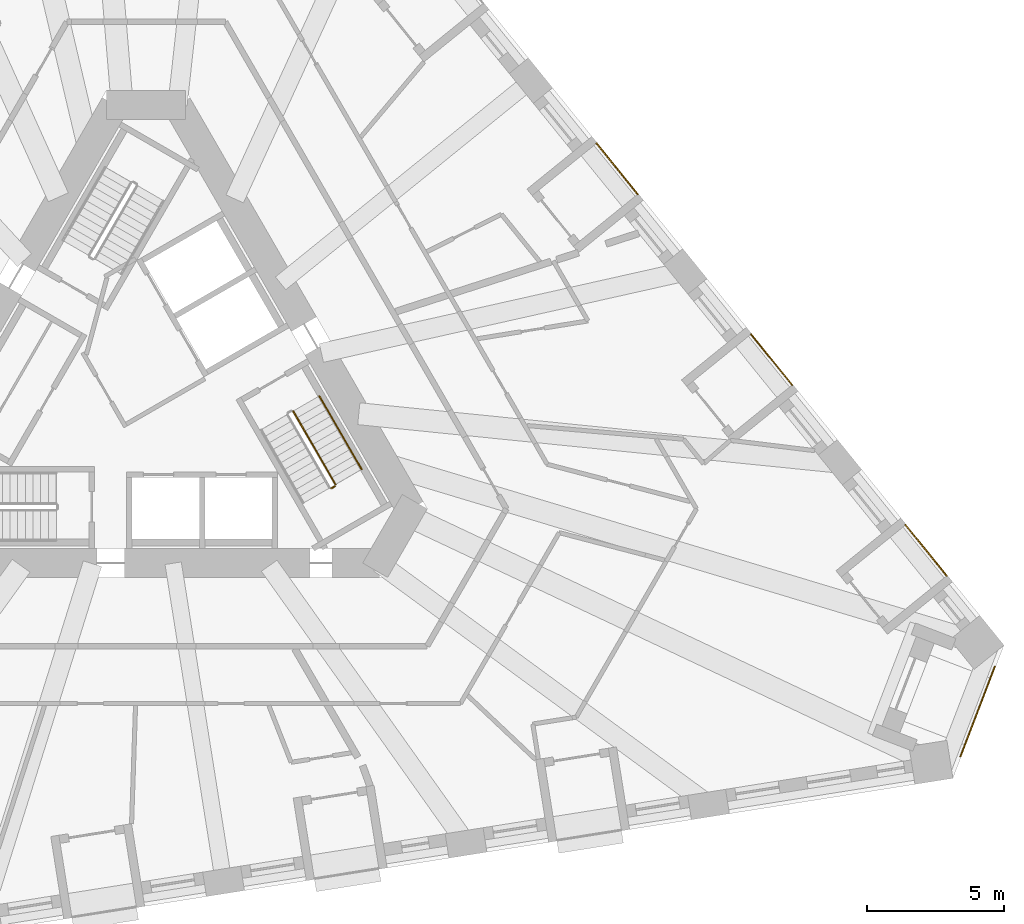
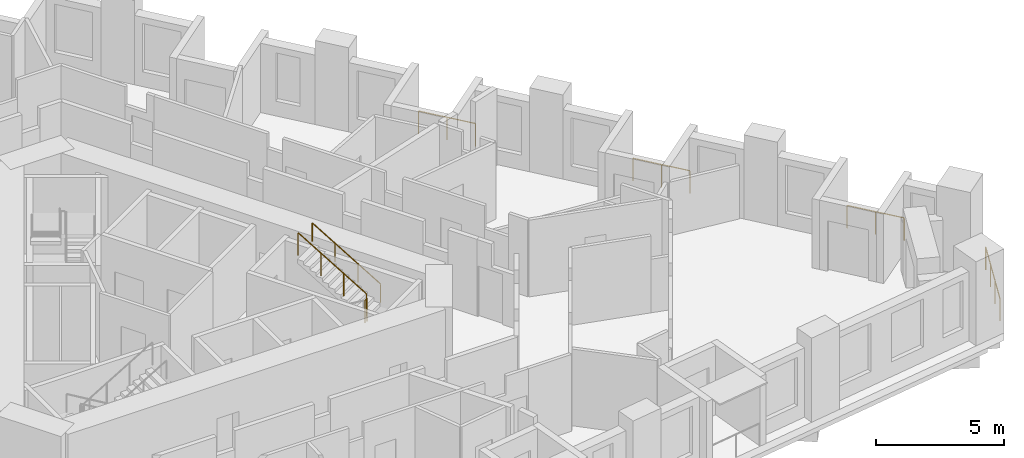
# One storey, part 13 of 14: 7 railings.
"""IFC4 building model written with IfcOpenShell, lengths in metres."""

from ifc_helpers import new_model, si_unit, direction, frame, origin, origin_2d, place, context, subcontext, project, spatial, circle, extrude, material, type_object, element, save


model = new_model("IFC4")

# Units and contexts
model_context = context("Model", 3, precision=1e-05, world=origin(), true_north=direction((0.0, 1.0)))
body_context = subcontext(model_context, "Body", "Model", "MODEL_VIEW")
ifc_project = project(units=[si_unit("LENGTHUNIT", "METRE"), si_unit("AREAUNIT", "SQUARE_METRE"), si_unit("VOLUMEUNIT", "CUBIC_METRE"), si_unit("PLANEANGLEUNIT", "RADIAN"), si_unit("MASSUNIT", "GRAM", prefix="KILO")], contexts=[model_context])

# Site, building, storey
site_placement = place(None, origin())
site = spatial("IfcSite", under=ifc_project, at=site_placement, CompositionType="ELEMENT")
building_placement = place(site_placement, origin())
building = spatial("IfcBuilding", under=site, at=building_placement, Name="Tramontana Tower", CompositionType="ELEMENT")
storey_placement = place(building_placement, frame((0.0, 0.0, 75.199951171875)))
storey = spatial("IfcBuildingStorey", under=building, at=storey_placement, Name="L16", CompositionType="ELEMENT", Elevation=75.199951171875)

# Railings
ifc_material_1 = material(Name="Laminated glass balustrade", Category="glass")
railing_type_1 = type_object("IfcRailingType", Name="GD1 Loggia glass balustrade 1100", PredefinedType="BALUSTRADE", material=ifc_material_1)
railing_1_placement = place(storey_placement, frame((29.18310546875, -6.68896484375, 0.0)))
element("IfcRailing", 1, at=railing_1_placement, inside=storey, type_object=railing_type_1, Name="Loggia balustrade L16 G1S2.1", PredefinedType="BALUSTRADE", context=body_context, shape_type="SweptSolid", body=[
    extrude(circle(Radius=0.02392578125, at=origin_2d()), frame((0.0, 0.0, 1.076171875), z_axis=(-0.629369155682, 0.777106470103, 0.0), x_axis=(-0.777106470103, -0.629369155682, 0.0)), (0.0, 0.0, 1.0), 2.383056640625),
    extrude(circle(Radius=0.02099609375, at=origin_2d()), origin(), (0.0, 0.0, 1.0), 1.052001953125),
    extrude(circle(Radius=0.02099609375, at=origin_2d()), frame((-0.75, 0.92578125, 0.0)), (0.0, 0.0, 1.0), 1.052001953125),
    extrude(circle(Radius=0.02099609375, at=origin_2d()), frame((-1.499755859375, 1.851806640625, 0.0)), (0.0, 0.0, 1.0), 1.052001953125),
])
railing_2_placement = place(storey_placement, frame((23.55126953125, 0.265625, 0.0)))
element("IfcRailing", 2, at=railing_2_placement, inside=storey, type_object=railing_type_1, Name="Loggia balustrade L16 G1S2.4", PredefinedType="BALUSTRADE", context=body_context, shape_type="SweptSolid", body=[
    extrude(circle(Radius=0.02392578125, at=origin_2d()), frame((0.0, 0.0, 1.076171875), z_axis=(-0.629257171563, 0.777197151331, 0.0), x_axis=(-0.777197151331, -0.629257171563, 0.0)), (0.0, 0.0, 1.0), 2.383056640625),
    extrude(circle(Radius=0.02099609375, at=origin_2d()), origin(), (0.0, 0.0, 1.0), 1.052001953125),
    extrude(circle(Radius=0.02099609375, at=origin_2d()), frame((-0.749755859375, 0.926025390625, 0.0)), (0.0, 0.0, 1.0), 1.052001953125),
    extrude(circle(Radius=0.02099609375, at=origin_2d()), frame((-1.49951171875, 1.85205078125, 0.0)), (0.0, 0.0, 1.0), 1.052001953125),
])
railing_3_placement = place(storey_placement, frame((17.919677734375, 7.22021484375, 0.0)))
element("IfcRailing", 3, at=railing_3_placement, inside=storey, type_object=railing_type_1, Name="Loggia balustrade L16 G1S2.7", PredefinedType="BALUSTRADE", context=body_context, shape_type="SweptSolid", body=[
    extrude(circle(Radius=0.02392578125, at=origin_2d()), frame((0.0, 0.0, 1.076171875), z_axis=(-0.629319049918, 0.777147047482, 0.0), x_axis=(-0.777147047482, -0.629319049918, 0.0)), (0.0, 0.0, 1.0), 2.383056640625),
    extrude(circle(Radius=0.02099609375, at=origin_2d()), origin(), (0.0, 0.0, 1.0), 1.052001953125),
    extrude(circle(Radius=0.02099609375, at=origin_2d()), frame((-0.75, 0.926025390625, 0.0)), (0.0, 0.0, 1.0), 1.052001953125),
    extrude(circle(Radius=0.02099609375, at=origin_2d()), frame((-1.499755859375, 1.85205078125, 0.0)), (0.0, 0.0, 1.0), 1.052001953125),
])
railing_4_placement = place(storey_placement, frame((30.9404296875, -10.00244140625, 0.0)))
element("IfcRailing", 4, at=railing_4_placement, inside=storey, type_object=railing_type_1, Name="Corner loggia balustrade L16 K12", PredefinedType="BALUSTRADE", context=body_context, shape_type="SweptSolid", body=[
    extrude(circle(Radius=0.02392578125, at=origin_2d()), frame((0.0, 0.0, 1.076171875), z_axis=(-0.358329267986, -0.933595274037, 0.0), x_axis=(0.933595274037, -0.358329267986, 0.0)), (0.0, 0.0, 1.0), 3.5),
    extrude(circle(Radius=0.02099609375, at=origin_2d()), origin(), (0.0, 0.0, 1.0), 1.052001953125),
    extrude(circle(Radius=0.02099609375, at=origin_2d()), frame((-0.41796875, -1.089111328125, 0.0)), (0.0, 0.0, 1.0), 1.052001953125),
    extrude(circle(Radius=0.02099609375, at=origin_2d()), frame((-0.836181640625, -2.178466796875, 0.0)), (0.0, 0.0, 1.0), 1.052001953125),
    extrude(circle(Radius=0.02099609375, at=origin_2d()), frame((-1.254150390625, -3.267578125, 0.0)), (0.0, 0.0, 1.0), 1.052001953125),
])
ifc_material_2 = material(Name="Painted steel", Category="steel")
railing_type_2 = type_object("IfcRailingType", Name="STAIR GUARD 1100", PredefinedType="GUARDRAIL", material=ifc_material_2)
railing_5_placement = place(storey_placement, frame((6.90380859375, -3.35791015625, 2.166748046875)))
element("IfcRailing", 5, at=railing_5_placement, inside=storey, type_object=railing_type_2, Name="L16 ST3 stair guard 2", PredefinedType="GUARDRAIL", context=body_context, shape_type="SweptSolid", body=[
    extrude(circle(Radius=0.02392578125, at=origin_2d()), frame((0.0, 0.0, 1.076171875), z_axis=(-0.429615651263, 0.74418122563, 0.511492615401), x_axis=(-0.866044340336, -0.499967199496, 0.0)), (0.0, 0.0, 1.0), 3.584228515625),
    extrude(circle(Radius=0.02099609375, at=origin_2d()), origin(), (0.0, 0.0, 1.0), 1.052001953125),
    extrude(circle(Radius=0.02099609375, at=origin_2d()), frame((-0.51318359375, 0.88916015625, 0.611083984375)), (0.0, 0.0, 1.0), 1.052001953125),
    extrude(circle(Radius=0.02099609375, at=origin_2d()), frame((-1.026611328125, 1.778076171875, 1.22216796875)), (0.0, 0.0, 1.0), 1.052001953125),
    extrude(circle(Radius=0.02099609375, at=origin_2d()), frame((-1.539794921875, 2.667236328125, 1.833251953125)), (0.0, 0.0, 1.0), 1.052001953125),
])
railing_6_placement = place(storey_placement, frame((6.755615234375, -3.501220703125, 2.0)))
element("IfcRailing", 6, at=railing_6_placement, inside=storey, type_object=railing_type_2, Name="L16 ST3 stair guard 3", PredefinedType="GUARDRAIL", context=body_context, shape_type="SweptSolid", body=[
    extrude(circle(Radius=0.02392578125, at=origin_2d()), frame((0.0, 0.0, 1.076171875), z_axis=(0.866131372301, 0.499816412211, 0.0), x_axis=(-0.499816412211, 0.866131372301, 0.0)), (0.0, 0.0, 1.0), 0.14990234375),
    extrude(circle(Radius=0.02099609375, at=origin_2d()), origin(), (0.0, 0.0, 1.0), 1.052001953125),
    extrude(circle(Radius=0.02099609375, at=origin_2d()), frame((0.1298828125, 0.074951171875, 0.0)), (0.0, 0.0, 1.0), 1.052001953125),
])
ifc_material_3 = material(Name="Painted steel", Category="steel")
railing_type_3 = type_object("IfcRailingType", Name="STAIR HANDRAIL 900", PredefinedType="HANDRAIL", material=ifc_material_3)
railing_7_placement = place(storey_placement, frame((7.8564453125, -2.807861328125, 2.166748046875)))
element("IfcRailing", 7, at=railing_7_placement, inside=storey, type_object=railing_type_3, Name="L16 ST3 stair handrail 2", PredefinedType="HANDRAIL", context=body_context, shape_type="SweptSolid", body=[
    extrude(circle(Radius=0.02392578125, at=origin_2d()), frame((0.0, 0.0, 0.8759765625), z_axis=(-0.429615651263, 0.74418122563, 0.511492615401), x_axis=(-0.866044340336, -0.499967199496, 0.0)), (0.0, 0.0, 1.0), 3.584228515625),
    extrude(circle(Radius=0.02099609375, at=origin_2d()), origin(), (0.0, 0.0, 1.0), 0.851806640625),
    extrude(circle(Radius=0.02099609375, at=origin_2d()), frame((-0.51318359375, 0.88916015625, 0.611083984375)), (0.0, 0.0, 1.0), 0.851806640625),
    extrude(circle(Radius=0.02099609375, at=origin_2d()), frame((-1.026611328125, 1.778076171875, 1.22216796875)), (0.0, 0.0, 1.0), 0.851806640625),
    extrude(circle(Radius=0.02099609375, at=origin_2d()), frame((-1.539794921875, 2.667236328125, 1.833251953125)), (0.0, 0.0, 1.0), 0.851806640625),
])

save(model, "model.ifc")
